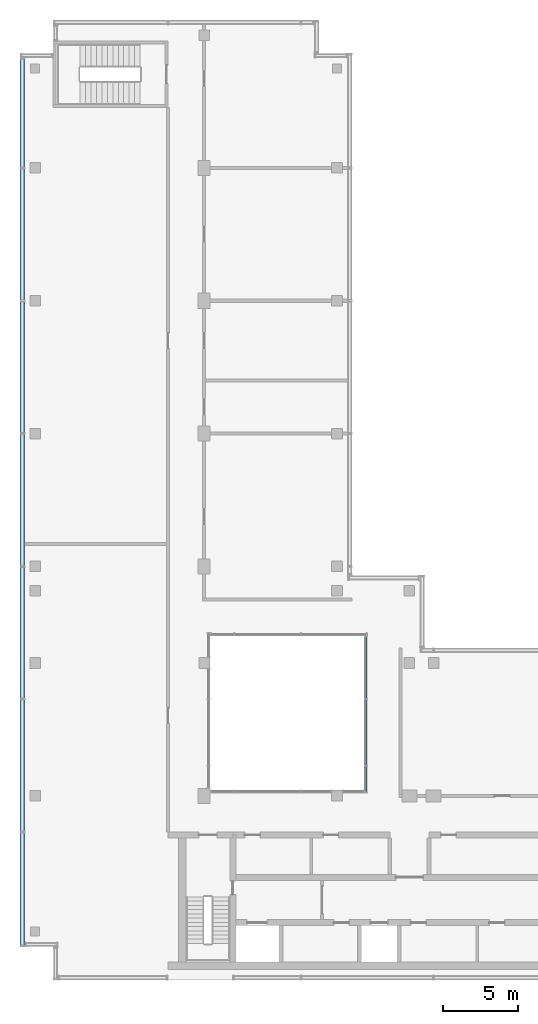
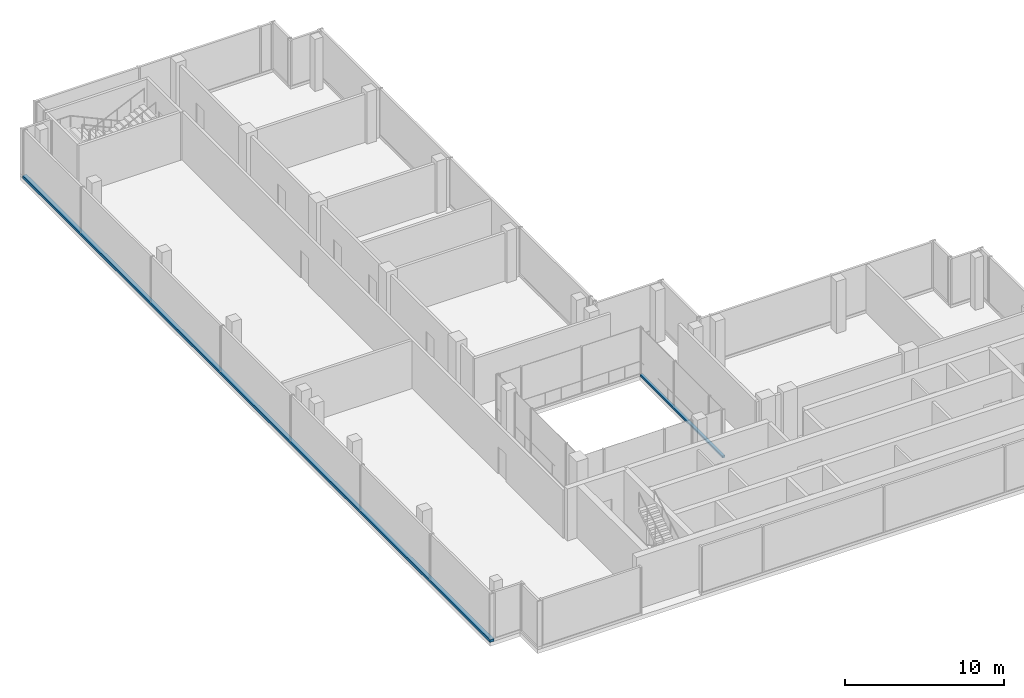
# One storey, part 4 of 10: 2 members, 2 elements without a shape of their own.
"""IFC4 building model written with IfcOpenShell, lengths in metres."""

import ifcopenshell
import ifcopenshell.guid

model = None  # the IFC model being written
_history = None  # IfcOwnerHistory: only IFC2X3 demands one
_inside = {}  # id of a spatial element -> (the spatial element, [elements in it])
_under = {}  # id of a project, library or spatial element -> (it, [spatial elements below it])
_declared = {}  # id of a project -> (the project, [libraries it declares])
_typed = {}  # id of a type object -> (the type object, [elements of that type])
_made_of = {}  # id of a material, layer set ... -> (it, [elements and type objects made of it])


def new_model(schema):
    """Start an empty IFC model of exactly this schema.

    Asked for "IFC4X3", IfcOpenShell would pick the latest addendum, in which some entities
    have other attributes; the version numbers below select the first issue.
    IFC2X3 requires an IfcOwnerHistory on every rooted entity: one is made here for all.
    """
    global model, _history
    if schema == "IFC4X3":
        model = ifcopenshell.file(schema_version=(4, 3, 0, 0))
    else:
        model = ifcopenshell.file(schema=schema)
    _inside.clear()
    _under.clear()
    _declared.clear()
    _typed.clear()
    _made_of.clear()
    _history = None
    if model.schema == "IFC2X3":
        org = make("IfcOrganization", Name="unknown")
        user = make(
            "IfcPersonAndOrganization",
            ThePerson=make("IfcPerson", FamilyName="unknown"),
            TheOrganization=org,
        )
        app = make(
            "IfcApplication",
            ApplicationDeveloper=org,
            Version="unknown",
            ApplicationFullName="unknown",
            ApplicationIdentifier="unknown",
        )
        _history = make(
            "IfcOwnerHistory",
            OwningUser=user,
            OwningApplication=app,
            ChangeAction="ADDED",
            CreationDate=0,
        )
    return model


def make(cls, **values):
    """One entity of the class cls with the attributes given. An attribute that is None is left unset."""
    return model.create_entity(
        cls, **{name: value for name, value in values.items() if value is not None}
    )


def rooted(cls, **values):
    """An entity with a GlobalId (a new one), such as an element, a storey or a relation."""
    return make(cls, GlobalId=ifcopenshell.guid.new(), OwnerHistory=_history, **values)


def si_unit(unit_type, name, prefix=None):
    """IfcSIUnit, for example si_unit("LENGTHUNIT", "METRE", prefix="MILLI")."""
    return make("IfcSIUnit", UnitType=unit_type, Prefix=prefix, Name=name)


def assignment(units):
    """IfcUnitAssignment: the units of a project."""
    return None if units is None else make("IfcUnitAssignment", Units=units)


def point(xyz):
    """IfcCartesianPoint."""
    return None if xyz is None else make("IfcCartesianPoint", Coordinates=xyz)


def direction(xyz):
    """IfcDirection."""
    return None if xyz is None else make("IfcDirection", DirectionRatios=xyz)


def frame(location, z_axis=None, x_axis=None):
    """IfcAxis2Placement3D, a coordinate frame: its origin and axes. An axis left out is left unset."""
    return make(
        "IfcAxis2Placement3D",
        Location=point(location),
        Axis=direction(z_axis),
        RefDirection=direction(x_axis),
    )


def frame_2d(location, x_axis=None):
    """IfcAxis2Placement2D, a coordinate frame in the plane: its origin and x axis."""
    return make(
        "IfcAxis2Placement2D", Location=point(location), RefDirection=direction(x_axis)
    )


def origin():
    """The frame at (0, 0, 0) with its axes left unset."""
    return frame((0.0, 0.0, 0.0))


def origin_2d():
    """The frame at (0, 0) in the plane with its x axis left unset."""
    return frame_2d((0.0, 0.0))


def place(relative_to, where):
    """IfcLocalPlacement: puts the frame where relative to a parent placement (None: the world)."""
    return make(
        "IfcLocalPlacement", PlacementRelTo=relative_to, RelativePlacement=where
    )


def context(
    kind, dimensions, precision=None, world=None, true_north=None, identifier=None
):
    """IfcGeometricRepresentationContext, for example the 3D "Model" context."""
    return make(
        "IfcGeometricRepresentationContext",
        ContextIdentifier=identifier,
        ContextType=kind,
        CoordinateSpaceDimension=dimensions,
        Precision=precision,
        WorldCoordinateSystem=world,
        TrueNorth=true_north,
    )


def subcontext(parent, identifier, kind, view, scale=None):
    """IfcGeometricRepresentationSubContext, for example "Body" below "Model"."""
    return make(
        "IfcGeometricRepresentationSubContext",
        ContextIdentifier=identifier,
        ContextType=kind,
        ParentContext=parent,
        TargetScale=scale,
        TargetView=view,
    )


def project(units=None, contexts=None):
    """IfcProject with its units and contexts."""
    return rooted(
        "IfcProject",
        Name="project",
        RepresentationContexts=contexts,
        UnitsInContext=assignment(units),
    )


def spatial(cls, under=None, at=None, **own):
    """A site, building, storey or space (cls), placed at a placement, below another one or the project."""
    s = rooted(cls, ObjectPlacement=at, **own)
    if under is not None:
        _under.setdefault(under.id(), (under, []))[1].append(s)
    return s


def profile(cls, at=None, kind="AREA", **sizes):
    """A parametric profile (cls). Its sizes go by their IFC names, for example OverallWidth=200.0."""
    return make(cls, ProfileType=kind, Position=at, **sizes)


def rectangle(**sizes):
    """IfcRectangleProfileDef."""
    return profile("IfcRectangleProfileDef", **sizes)


def extrude(swept, where, along, depth):
    """IfcExtrudedAreaSolid: the profile swept, set in the frame where, extruded along a direction by depth."""
    return make(
        "IfcExtrudedAreaSolid",
        SweptArea=swept,
        Position=where,
        ExtrudedDirection=direction(along),
        Depth=depth,
    )


def shape(context_of_items, identifier, shape_type, items):
    """IfcShapeRepresentation: the items that make up one representation, for example the "Body"."""
    return make(
        "IfcShapeRepresentation",
        ContextOfItems=context_of_items,
        RepresentationIdentifier=identifier,
        RepresentationType=shape_type,
        Items=items,
    )


def material(Name=None, Category=None):
    """IfcMaterial."""
    return make("IfcMaterial", Name=Name, Category=Category)


def material_profile(
    of_material, cross_section, Name=None, Category=None, Priority=None
):
    """IfcMaterialProfile: a cross section and its material."""
    return make(
        "IfcMaterialProfile",
        Name=Name,
        Material=of_material,
        Profile=cross_section,
        Priority=Priority,
        Category=Category,
    )


def profile_set(profiles, Name=None, composite=None):
    """IfcMaterialProfileSet."""
    return make(
        "IfcMaterialProfileSet",
        Name=Name,
        MaterialProfiles=profiles,
        CompositeProfile=composite,
    )


def made_of(thing, what):
    """Note that an element or type object is made of a material, layer set ...; save() writes the relation."""
    if what is not None:
        _made_of.setdefault(what.id(), (what, []))[1].append(thing)
    return thing


def type_object(cls, material=None, **own):
    """A type object (cls), such as IfcWallType, which elements share."""
    return made_of(rooted(cls, **own), material)


def element(
    cls,
    number,
    at=None,
    inside=None,
    cuts=None,
    type_object=None,
    material=None,
    context=None,
    identifier="Body",
    shape_type=None,
    held_by="IfcProductDefinitionShape",
    body=None,
    shapes=None,
    **own,
):
    """One element of the class cls, such as IfcWall. Its Tag is "e" and its number.

    at: its placement. inside: the storey or other place that contains it. cuts: it is an
    opening in that element (IfcRelVoidsElement). A single representation is given by context,
    identifier, shape_type and body (its items); several are given by shapes. held_by: the class
    of the entity that holds the representations. save() writes the other relations.
    """
    e = rooted(cls, Tag="e%d" % number, ObjectPlacement=at, **own)
    if body is not None:
        shapes = [shape(context, identifier, shape_type, body)]
    if shapes is not None:
        e.Representation = make(held_by, Representations=shapes)
    if inside is not None:
        _inside.setdefault(inside.id(), (inside, []))[1].append(e)
    if cuts is not None:
        rooted(
            "IfcRelVoidsElement", RelatingBuildingElement=cuts, RelatedOpeningElement=e
        )
    if type_object is not None:
        _typed.setdefault(type_object.id(), (type_object, []))[1].append(e)
    return made_of(e, material)


def aggregate(whole, parts):
    """IfcRelAggregates: a whole, such as a stair, and the parts it consists of."""
    return rooted("IfcRelAggregates", RelatingObject=whole, RelatedObjects=parts)


def save(model, path):
    """Write the relations noted so far, then the file.

    IfcRelAggregates (storeys below a building ...), IfcRelContainedInSpatialStructure (elements
    in a storey), IfcRelDefinesByType, IfcRelAssociatesMaterial and IfcRelDeclares: one each for
    every whole, place, type object, material and project.
    """
    for whole, parts in _under.values():
        aggregate(whole, parts)
    for where, things in _inside.values():
        rooted(
            "IfcRelContainedInSpatialStructure",
            RelatedElements=things,
            RelatingStructure=where,
        )
    for kind, things in _typed.values():
        rooted("IfcRelDefinesByType", RelatedObjects=things, RelatingType=kind)
    for what, things in _made_of.values():
        rooted("IfcRelAssociatesMaterial", RelatedObjects=things, RelatingMaterial=what)
    for by, libraries in _declared.values():
        rooted("IfcRelDeclares", RelatingContext=by, RelatedDefinitions=libraries)
    model.write(path)


model = new_model("IFC4")

# Units and contexts
model_context = context("Model", 3, precision=1e-05, world=origin(), true_north=direction((0.0, 1.0)))
body_context = subcontext(model_context, "Body", "Model", "MODEL_VIEW")
ifc_project = project(units=[si_unit("LENGTHUNIT", "METRE"), si_unit("AREAUNIT", "SQUARE_METRE"), si_unit("VOLUMEUNIT", "CUBIC_METRE"), si_unit("PLANEANGLEUNIT", "RADIAN"), si_unit("MASSUNIT", "GRAM", prefix="KILO")], contexts=[model_context])

# Site, building, storey
site_placement = place(None, origin())
site = spatial("IfcSite", under=ifc_project, at=site_placement, CompositionType="ELEMENT")
building_placement = place(site_placement, origin())
building = spatial("IfcBuilding", under=site, at=building_placement, Name="Kemantara Hotel Tower", CompositionType="ELEMENT")
storey_placement = place(building_placement, frame((0.0, 0.0, 318.199951171875)))
storey = spatial("IfcBuildingStorey", under=building, at=storey_placement, Name="L80", CompositionType="ELEMENT", Elevation=318.199951171875)

# Curtain wall, member
ifc_material_1 = material(Name="Clear low-iron laminated glass 36 mm", Category="glass")
curtain_wall_type_1 = type_object("IfcCurtainWallType", Name="ATRIUM GLAZING WALL", PredefinedType="USERDEFINED", material=ifc_material_1)
curtain_wall_1_placement = place(storey_placement, origin())
curtain_wall_1 = element("IfcCurtainWall", 1, at=curtain_wall_1_placement, inside=storey, type_object=curtain_wall_type_1, Name="CW5 L80 ATR-R1-1", ObjectType="ATRIUM GLAZING WALL", PredefinedType="USERDEFINED")
ifc_material_2 = material(Name="Aluminium 6063-T6 bronze anodised", Category="aluminium")
ifc_material_profile_1 = material_profile(ifc_material_2, rectangle(XDim=0.199951171875, YDim=0.14990234375, at=origin_2d()), Name="ATRIUM GLAZING WALL TRANSOM")
ifc_profile_set_1 = profile_set([ifc_material_profile_1], Name="Aluminium 6063-T6 bronze anodised")
member_type_1 = type_object("IfcMemberType", Name="ATRIUM GLAZING WALL TRANSOM", PredefinedType="USERDEFINED", material=ifc_profile_set_1)
member_1_placement = place(storey_placement, frame((22.89990234375, 22.800048828125, 0.074951171875), z_axis=(0.0, -1.0, 0.0), x_axis=(1.0, 0.0, 0.0)))
member_1 = element("IfcMember", 2, at=member_1_placement, type_object=member_type_1, Name="CW5 sill transom ATR-R1-1", ObjectType="TRANSOM", PredefinedType="USERDEFINED", context=body_context, shape_type="SweptSolid", body=[
    extrude(rectangle(XDim=0.199951171875, YDim=0.14990234375, at=origin_2d()), origin(), (0.0, 0.0, 1.0), 10.400146484375),
])
aggregate(curtain_wall_1, [member_1])

curtain_wall_type_2 = type_object("IfcCurtainWallType", Name="CROWN LOUVRE SCREEN WALL", PredefinedType="USERDEFINED", material=ifc_material_2)
curtain_wall_2_placement = place(storey_placement, origin())
curtain_wall_2 = element("IfcCurtainWall", 3, at=curtain_wall_2_placement, inside=storey, type_object=curtain_wall_type_2, Name="CW7 L80 CRN-R05-1", ObjectType="CROWN LOUVRE SCREEN WALL", PredefinedType="USERDEFINED")
ifc_material_profile_2 = material_profile(ifc_material_2, rectangle(XDim=0.300048828125, YDim=0.199951171875, at=origin_2d()), Name="CROWN LOUVRE SCREEN WALL TRANSOM")
ifc_profile_set_2 = profile_set([ifc_material_profile_2], Name="Aluminium 6063-T6 bronze anodised")
member_type_2 = type_object("IfcMemberType", Name="CROWN LOUVRE SCREEN WALL TRANSOM", PredefinedType="USERDEFINED", material=ifc_profile_set_2)
member_2_placement = place(storey_placement, frame((0.14990234375, 61.10009765625, 0.10009765625), z_axis=(0.0, -1.0, 0.0), x_axis=(1.0, 0.0, 0.0)))
member_2 = element("IfcMember", 4, at=member_2_placement, type_object=member_type_2, Name="CW7 sill transom CRN-R05-1", ObjectType="TRANSOM", PredefinedType="USERDEFINED", context=body_context, shape_type="SweptSolid", body=[
    extrude(rectangle(XDim=0.300048828125, YDim=0.199951171875, at=origin_2d()), origin(), (0.0, 0.0, 1.0), 58.900146484375),
])
aggregate(curtain_wall_2, [member_2])

save(model, "model.ifc")
